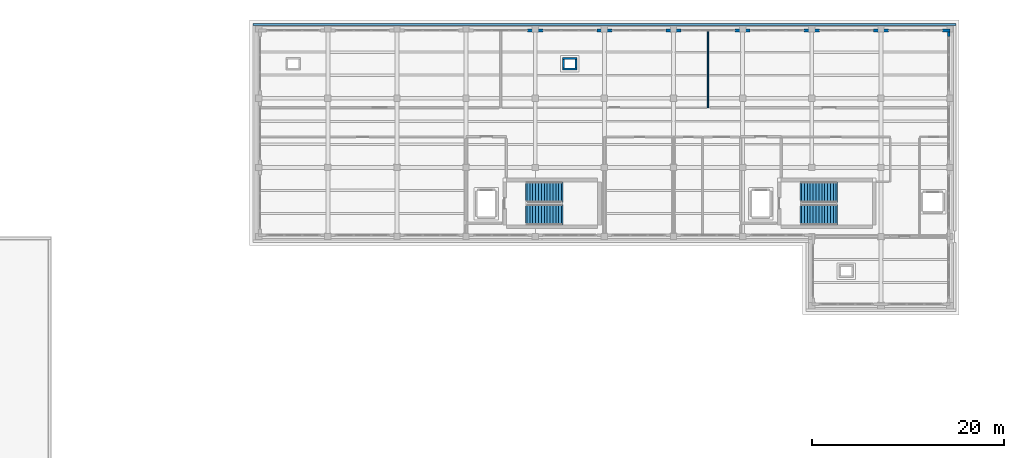
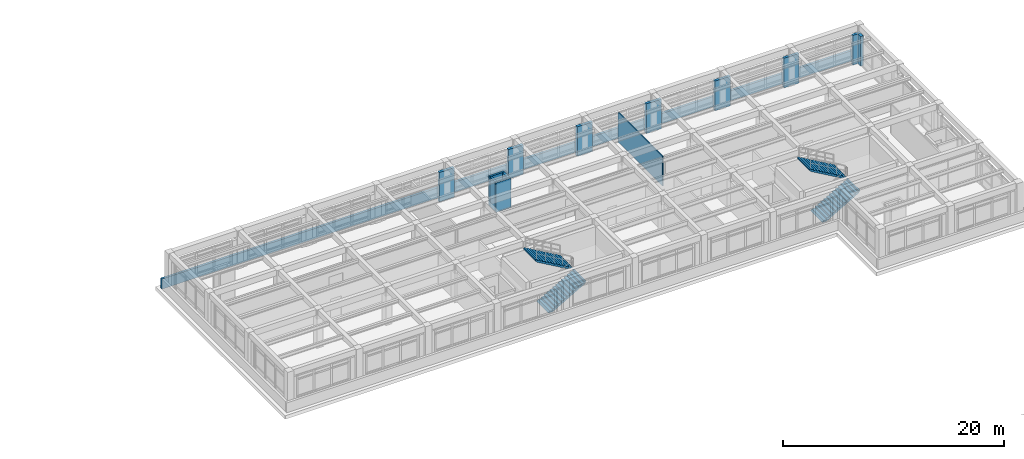
# One storey, part 49 of 55: 14 walls, 4 stair flights, 2 elements without a shape of their own.
"""IFC4 building model written with IfcOpenShell, lengths in metres."""

import ifcopenshell
import ifcopenshell.guid

model = None  # the IFC model being written
_history = None  # IfcOwnerHistory: only IFC2X3 demands one
_inside = {}  # id of a spatial element -> (the spatial element, [elements in it])
_under = {}  # id of a project, library or spatial element -> (it, [spatial elements below it])
_declared = {}  # id of a project -> (the project, [libraries it declares])
_typed = {}  # id of a type object -> (the type object, [elements of that type])
_made_of = {}  # id of a material, layer set ... -> (it, [elements and type objects made of it])


def new_model(schema):
    """Start an empty IFC model of exactly this schema.

    Asked for "IFC4X3", IfcOpenShell would pick the latest addendum, in which some entities
    have other attributes; the version numbers below select the first issue.
    IFC2X3 requires an IfcOwnerHistory on every rooted entity: one is made here for all.
    """
    global model, _history
    if schema == "IFC4X3":
        model = ifcopenshell.file(schema_version=(4, 3, 0, 0))
    else:
        model = ifcopenshell.file(schema=schema)
    _inside.clear()
    _under.clear()
    _declared.clear()
    _typed.clear()
    _made_of.clear()
    _history = None
    if model.schema == "IFC2X3":
        org = make("IfcOrganization", Name="unknown")
        user = make(
            "IfcPersonAndOrganization",
            ThePerson=make("IfcPerson", FamilyName="unknown"),
            TheOrganization=org,
        )
        app = make(
            "IfcApplication",
            ApplicationDeveloper=org,
            Version="unknown",
            ApplicationFullName="unknown",
            ApplicationIdentifier="unknown",
        )
        _history = make(
            "IfcOwnerHistory",
            OwningUser=user,
            OwningApplication=app,
            ChangeAction="ADDED",
            CreationDate=0,
        )
    return model


def make(cls, **values):
    """One entity of the class cls with the attributes given. An attribute that is None is left unset."""
    return model.create_entity(
        cls, **{name: value for name, value in values.items() if value is not None}
    )


def rooted(cls, **values):
    """An entity with a GlobalId (a new one), such as an element, a storey or a relation."""
    return make(cls, GlobalId=ifcopenshell.guid.new(), OwnerHistory=_history, **values)


def si_unit(unit_type, name, prefix=None):
    """IfcSIUnit, for example si_unit("LENGTHUNIT", "METRE", prefix="MILLI")."""
    return make("IfcSIUnit", UnitType=unit_type, Prefix=prefix, Name=name)


def assignment(units):
    """IfcUnitAssignment: the units of a project."""
    return None if units is None else make("IfcUnitAssignment", Units=units)


def point(xyz):
    """IfcCartesianPoint."""
    return None if xyz is None else make("IfcCartesianPoint", Coordinates=xyz)


def direction(xyz):
    """IfcDirection."""
    return None if xyz is None else make("IfcDirection", DirectionRatios=xyz)


def frame(location, z_axis=None, x_axis=None):
    """IfcAxis2Placement3D, a coordinate frame: its origin and axes. An axis left out is left unset."""
    return make(
        "IfcAxis2Placement3D",
        Location=point(location),
        Axis=direction(z_axis),
        RefDirection=direction(x_axis),
    )


def frame_2d(location, x_axis=None):
    """IfcAxis2Placement2D, a coordinate frame in the plane: its origin and x axis."""
    return make(
        "IfcAxis2Placement2D", Location=point(location), RefDirection=direction(x_axis)
    )


def origin():
    """The frame at (0, 0, 0) with its axes left unset."""
    return frame((0.0, 0.0, 0.0))


def place(relative_to, where):
    """IfcLocalPlacement: puts the frame where relative to a parent placement (None: the world)."""
    return make(
        "IfcLocalPlacement", PlacementRelTo=relative_to, RelativePlacement=where
    )


def context(
    kind, dimensions, precision=None, world=None, true_north=None, identifier=None
):
    """IfcGeometricRepresentationContext, for example the 3D "Model" context."""
    return make(
        "IfcGeometricRepresentationContext",
        ContextIdentifier=identifier,
        ContextType=kind,
        CoordinateSpaceDimension=dimensions,
        Precision=precision,
        WorldCoordinateSystem=world,
        TrueNorth=true_north,
    )


def subcontext(parent, identifier, kind, view, scale=None):
    """IfcGeometricRepresentationSubContext, for example "Body" below "Model"."""
    return make(
        "IfcGeometricRepresentationSubContext",
        ContextIdentifier=identifier,
        ContextType=kind,
        ParentContext=parent,
        TargetScale=scale,
        TargetView=view,
    )


def project(units=None, contexts=None):
    """IfcProject with its units and contexts."""
    return rooted(
        "IfcProject",
        Name="project",
        RepresentationContexts=contexts,
        UnitsInContext=assignment(units),
    )


def spatial(cls, under=None, at=None, **own):
    """A site, building, storey or space (cls), placed at a placement, below another one or the project."""
    s = rooted(cls, ObjectPlacement=at, **own)
    if under is not None:
        _under.setdefault(under.id(), (under, []))[1].append(s)
    return s


def polyline(points):
    """IfcPolyline through the points."""
    return make("IfcPolyline", Points=[point(p) for p in points])


def profile(cls, at=None, kind="AREA", **sizes):
    """A parametric profile (cls). Its sizes go by their IFC names, for example OverallWidth=200.0."""
    return make(cls, ProfileType=kind, Position=at, **sizes)


def rectangle(**sizes):
    """IfcRectangleProfileDef."""
    return profile("IfcRectangleProfileDef", **sizes)


def outline(outer, holes=None, kind="AREA"):
    """IfcArbitraryClosedProfileDef: a profile drawn as a closed curve; with holes, ...WithVoids."""
    if holes is None:
        return make("IfcArbitraryClosedProfileDef", ProfileType=kind, OuterCurve=outer)
    return make(
        "IfcArbitraryProfileDefWithVoids",
        ProfileType=kind,
        OuterCurve=outer,
        InnerCurves=holes,
    )


def extrude(swept, where, along, depth):
    """IfcExtrudedAreaSolid: the profile swept, set in the frame where, extruded along a direction by depth."""
    return make(
        "IfcExtrudedAreaSolid",
        SweptArea=swept,
        Position=where,
        ExtrudedDirection=direction(along),
        Depth=depth,
    )


def shape(context_of_items, identifier, shape_type, items):
    """IfcShapeRepresentation: the items that make up one representation, for example the "Body"."""
    return make(
        "IfcShapeRepresentation",
        ContextOfItems=context_of_items,
        RepresentationIdentifier=identifier,
        RepresentationType=shape_type,
        Items=items,
    )


def material(Name=None, Category=None):
    """IfcMaterial."""
    return make("IfcMaterial", Name=Name, Category=Category)


def layer(
    of_material, thickness, ventilated=None, Name=None, Category=None, Priority=None
):
    """IfcMaterialLayer: one layer of a wall or slab, of a material (None: an air gap)."""
    return make(
        "IfcMaterialLayer",
        Material=of_material,
        LayerThickness=thickness,
        IsVentilated=ventilated,
        Name=Name,
        Category=Category,
        Priority=Priority,
    )


def layer_set(layers, Name=None):
    """IfcMaterialLayerSet."""
    return make("IfcMaterialLayerSet", MaterialLayers=layers, LayerSetName=Name)


def made_of(thing, what):
    """Note that an element or type object is made of a material, layer set ...; save() writes the relation."""
    if what is not None:
        _made_of.setdefault(what.id(), (what, []))[1].append(thing)
    return thing


def type_object(cls, material=None, **own):
    """A type object (cls), such as IfcWallType, which elements share."""
    return made_of(rooted(cls, **own), material)


def element(
    cls,
    number,
    at=None,
    inside=None,
    cuts=None,
    type_object=None,
    material=None,
    context=None,
    identifier="Body",
    shape_type=None,
    held_by="IfcProductDefinitionShape",
    body=None,
    shapes=None,
    **own,
):
    """One element of the class cls, such as IfcWall. Its Tag is "e" and its number.

    at: its placement. inside: the storey or other place that contains it. cuts: it is an
    opening in that element (IfcRelVoidsElement). A single representation is given by context,
    identifier, shape_type and body (its items); several are given by shapes. held_by: the class
    of the entity that holds the representations. save() writes the other relations.
    """
    e = rooted(cls, Tag="e%d" % number, ObjectPlacement=at, **own)
    if body is not None:
        shapes = [shape(context, identifier, shape_type, body)]
    if shapes is not None:
        e.Representation = make(held_by, Representations=shapes)
    if inside is not None:
        _inside.setdefault(inside.id(), (inside, []))[1].append(e)
    if cuts is not None:
        rooted(
            "IfcRelVoidsElement", RelatingBuildingElement=cuts, RelatedOpeningElement=e
        )
    if type_object is not None:
        _typed.setdefault(type_object.id(), (type_object, []))[1].append(e)
    return made_of(e, material)


def aggregate(whole, parts):
    """IfcRelAggregates: a whole, such as a stair, and the parts it consists of."""
    return rooted("IfcRelAggregates", RelatingObject=whole, RelatedObjects=parts)


def save(model, path):
    """Write the relations noted so far, then the file.

    IfcRelAggregates (storeys below a building ...), IfcRelContainedInSpatialStructure (elements
    in a storey), IfcRelDefinesByType, IfcRelAssociatesMaterial and IfcRelDeclares: one each for
    every whole, place, type object, material and project.
    """
    for whole, parts in _under.values():
        aggregate(whole, parts)
    for where, things in _inside.values():
        rooted(
            "IfcRelContainedInSpatialStructure",
            RelatedElements=things,
            RelatingStructure=where,
        )
    for kind, things in _typed.values():
        rooted("IfcRelDefinesByType", RelatedObjects=things, RelatingType=kind)
    for what, things in _made_of.values():
        rooted("IfcRelAssociatesMaterial", RelatedObjects=things, RelatingMaterial=what)
    for by, libraries in _declared.values():
        rooted("IfcRelDeclares", RelatingContext=by, RelatedDefinitions=libraries)
    model.write(path)


model = new_model("IFC4")

# Units and contexts
model_context = context("Model", 3, precision=1e-05, world=origin(), true_north=direction((0.0, 1.0)))
body_context = subcontext(model_context, "Body", "Model", "MODEL_VIEW")
ifc_project = project(units=[si_unit("LENGTHUNIT", "METRE"), si_unit("AREAUNIT", "SQUARE_METRE"), si_unit("VOLUMEUNIT", "CUBIC_METRE"), si_unit("PLANEANGLEUNIT", "RADIAN"), si_unit("MASSUNIT", "GRAM", prefix="KILO")], contexts=[model_context])

# Site, building, storey
site_placement = place(None, origin())
site = spatial("IfcSite", under=ifc_project, at=site_placement, CompositionType="ELEMENT")
building_placement = place(site_placement, origin())
building = spatial("IfcBuilding", under=site, at=building_placement, Name="Solenvale Faculty of Natural Sciences", CompositionType="ELEMENT")
storey_placement = place(building_placement, frame((0.0, 0.0, 22.5)))
storey = spatial("IfcBuildingStorey", under=building, at=storey_placement, Name="L05", CompositionType="ELEMENT", Elevation=22.5)

# Walls
ifc_material_1 = material(Name="Precast concrete 40 MPa", Category="concrete")
ifc_layer_1 = layer(ifc_material_1, 0.284912109375)
ifc_layer_set_1 = layer_set([ifc_layer_1], Name="Precast concrete 40 MPa")
wall_type_1 = type_object("IfcWallType", Name="WL-EXT-PRC-285", PredefinedType="STANDARD", material=ifc_layer_set_1)
wall_1_placement = place(storey_placement, frame((151.0576171875, 114.412109375, 0.0), z_axis=(0.0, 0.0, 1.0), x_axis=(0.0, 1.0, 0.0)))
element("IfcWall", 1, at=wall_1_placement, inside=storey, type_object=wall_type_1, Name="L05 Facade Closure Pier 2.B3-R", PredefinedType="STANDARD", context=body_context, shape_type="SweptSolid", body=[
    extrude(rectangle(XDim=0.5029296875, YDim=0.284912109375, at=frame_2d((0.25146484375, 0.0))), origin(), (0.0, 0.0, 1.0), 3.260009765625),
])
wall_2_placement = place(storey_placement, frame((151.199951171875, 115.0576171875, 0.0), z_axis=(0.0, 0.0, 1.0), x_axis=(-1.0, 0.0, 0.0)))
element("IfcWall", 2, at=wall_2_placement, inside=storey, type_object=wall_type_1, Name="L05 Facade Closure Pier 3.B1-L", PredefinedType="STANDARD", context=body_context, shape_type="SweptSolid", body=[
    extrude(rectangle(XDim=0.787841796875, YDim=0.284912109375, at=frame_2d((0.39404296875, 0.0))), origin(), (0.0, 0.0, 1.0), 3.260009765625),
])
wall_3_placement = place(storey_placement, frame((144.7880859375, 115.0576171875, 0.0), z_axis=(0.0, 0.0, 1.0), x_axis=(-1.0, 0.0, 0.0)))
element("IfcWall", 3, at=wall_3_placement, inside=storey, type_object=wall_type_1, Name="L05 Facade Closure Pier 3.B1-R", PredefinedType="STANDARD", context=body_context, shape_type="SweptSolid", body=[
    extrude(rectangle(XDim=1.576171875, YDim=0.284912109375, at=frame_2d((0.7880859375, 0.0))), origin(), (0.0, 0.0, 1.0), 3.260009765625),
])
for number, where, z_axis, x_axis, name in (
    (4, (137.587890625, 115.0576171875, 0.0), (0.0, 0.0, 1.0), (-1.0, 0.0, 0.0), "L05 Facade Closure Pier 3.B2-R"),
    (5, (130.387939453125, 115.0576171875, 0.0), (0.0, 0.0, 1.0), (-1.0, 0.0, 0.0), "L05 Facade Closure Pier 3.B3-R"),
    (6, (123.18798828125, 115.0576171875, 0.0), (0.0, 0.0, 1.0), (-1.0, 0.0, 0.0), "L05 Facade Closure Pier 3.B4-R"),
    (7, (115.988037109375, 115.0576171875, 0.0), (0.0, 0.0, 1.0), (-1.0, 0.0, 0.0), "L05 Facade Closure Pier 3.B5-R"),
):
    element("IfcWall", number, at=place(storey_placement, frame(where, z_axis=z_axis, x_axis=x_axis)), inside=storey, type_object=wall_type_1, Name=name, PredefinedType="STANDARD", context=body_context, shape_type="SweptSolid", body=[
        extrude(rectangle(XDim=1.575927734375, YDim=0.284912109375, at=frame_2d((0.7880859375, 0.0))), origin(), (0.0, 0.0, 1.0), 3.260009765625),
    ])
wall_4_placement = place(storey_placement, frame((108.7880859375, 115.0576171875, 0.0), z_axis=(0.0, 0.0, 1.0), x_axis=(-1.0, 0.0, 0.0)))
element("IfcWall", 8, at=wall_4_placement, inside=storey, type_object=wall_type_1, Name="L05 Facade Closure Pier 3.B6-R", PredefinedType="STANDARD", context=body_context, shape_type="SweptSolid", body=[
    extrude(rectangle(XDim=1.576171875, YDim=0.284912109375, at=frame_2d((0.7880859375, 0.0))), origin(), (0.0, 0.0, 1.0), 3.260009765625),
])
ifc_material_2 = material(Name="Acoustic stud gypsum partition")
ifc_layer_2 = layer(ifc_material_2, 0.132080078125)
ifc_layer_set_2 = layer_set([ifc_layer_2], Name="Acoustic stud gypsum partition")
wall_type_2 = type_object("IfcWallType", Name="WL-OFF-132", PredefinedType="PARTITIONING", material=ifc_layer_set_2)
wall_5_placement = place(storey_placement, frame((126.0, 115.01708984375, 0.0), z_axis=(0.0, 0.0, 1.0), x_axis=(0.0, -1.0, 0.0)))
element("IfcWall", 9, at=wall_5_placement, inside=storey, type_object=wall_type_2, Name="L05 Faculty Staff Office Partition 3", PredefinedType="PARTITIONING", context=body_context, shape_type="SweptSolid", body=[
    extrude(rectangle(XDim=7.9970703125, YDim=0.132080078125, at=frame_2d((3.99853515625, 0.0))), origin(), (0.0, 0.0, 1.0), 3.260009765625),
])
ifc_material_3 = material(Name="Architectural bronze concrete 40 MPa", Category="concrete")
ifc_layer_3 = layer(ifc_material_3, 0.239990234375)
ifc_layer_set_3 = layer_set([ifc_layer_3], Name="Architectural bronze concrete 40 MPa")
wall_type_3 = type_object("IfcWallType", Name="WL-PAR-BRZ-240", PredefinedType="PARAPET", material=ifc_layer_set_3)
wall_6_placement = place(storey_placement, frame((78.60009765625, 115.679931640625, 0.0), z_axis=(0.0, 0.0, 1.0), x_axis=(1.0, 0.0, 0.0)))
element("IfcWall", 10, at=wall_6_placement, inside=storey, type_object=wall_type_3, Name="L05 Tower Horizontal Concrete Band 4", PredefinedType="PARAPET", context=body_context, shape_type="SweptSolid", body=[
    extrude(rectangle(XDim=73.199951171875, YDim=0.239990234375, at=frame_2d((36.60009765625, 0.0))), origin(), (0.0, 0.0, 1.0), 1.1201171875),
])
ifc_material_4 = material(Name="Concrete 40 MPa", Category="concrete")
ifc_layer_4 = layer(ifc_material_4, 0.219970703125)
ifc_layer_set_4 = layer_set([ifc_layer_4], Name="Concrete 40 MPa")
wall_type_4 = type_object("IfcWallType", Name="WL-SHF-220", PredefinedType="STANDARD", material=ifc_layer_set_4)
for number, where, z_axis, x_axis, name in (
    (11, (110.830078125, 111.0400390625, 0.0), (0.0, 0.0, 1.0), (1.0, 0.0, 0.0), "L05 Service Riser Shaft 4 Wall S"),
    (12, (110.830078125, 112.159912109375, 0.0), (0.0, 0.0, 1.0), (1.0, 0.0, 0.0), "L05 Service Riser Shaft 4 Wall N"),
):
    element("IfcWall", number, at=place(storey_placement, frame(where, z_axis=z_axis, x_axis=x_axis)), inside=storey, type_object=wall_type_4, Name=name, PredefinedType="STANDARD", context=body_context, shape_type="SweptSolid", body=[
        extrude(rectangle(XDim=1.5400390625, YDim=0.219970703125, at=frame_2d((0.77001953125, 0.0))), origin(), (0.0, 0.0, 1.0), 3.260009765625),
    ])
for number, where, z_axis, x_axis, name in (
    (13, (110.93994140625, 111.14990234375, 0.0), (0.0, 0.0, 1.0), (0.0, 1.0, 0.0), "L05 Service Riser Shaft 4 Wall W"),
    (14, (112.260009765625, 111.14990234375, 0.0), (0.0, 0.0, 1.0), (0.0, 1.0, 0.0), "L05 Service Riser Shaft 4 Wall E"),
):
    element("IfcWall", number, at=place(storey_placement, frame(where, z_axis=z_axis, x_axis=x_axis)), inside=storey, type_object=wall_type_4, Name=name, PredefinedType="STANDARD", context=body_context, shape_type="SweptSolid", body=[
        extrude(rectangle(XDim=0.900146484375, YDim=0.219970703125, at=frame_2d((0.4501953125, 0.0))), origin(), (0.0, 0.0, 1.0), 3.260009765625),
    ])

# Stair, stair flights
stair_type = type_object("IfcStairType", Name="STR-CORE-25R", PredefinedType="DOUBLE_RETURN_STAIR", material=ifc_material_4)
stair_1_placement = place(storey_placement, origin())
stair_1 = element("IfcStair", 15, at=stair_1_placement, inside=storey, type_object=stair_type, Name="L05 Protected Exit Stair ST-04", PredefinedType="DOUBLE_RETURN_STAIR")
stair_flight_type = type_object("IfcStairFlightType", Name="SFL-RC-25R", PredefinedType="STRAIGHT", material=ifc_material_4)
stair_flight_1_placement = place(storey_placement, frame((107.139892578125, 95.875, 0.0), z_axis=(0.0, 0.0, 1.0), x_axis=(1.0, 0.0, 0.0)))
stair_flight_1 = element("IfcStairFlight", 16, at=stair_flight_1_placement, type_object=stair_flight_type, Name="ST-04 flight 1", NumberOfRisers=13, NumberOfTreads=12, PredefinedType="STRAIGHT", RiserHeight=0.173076923, TreadLength=0.3, context=body_context, shape_type="SweptSolid", body=[
    extrude(outline(polyline([(-0.159912109375, 0.0), (0.0, 0.173095703125), (0.300048828125, 0.173095703125), (0.300048828125, 0.34619140625), (0.60009765625, 0.34619140625), (0.60009765625, 0.519287109375), (0.89990234375, 0.519287109375), (0.89990234375, 0.6923828125), (1.199951171875, 0.6923828125), (1.199951171875, 0.865478515625), (1.5, 0.865478515625), (1.5, 1.03857421875), (1.800048828125, 1.03857421875), (1.800048828125, 1.21142578125), (2.10009765625, 1.21142578125), (2.10009765625, 1.384521484375), (2.39990234375, 1.384521484375), (2.39990234375, 1.5576171875), (2.699951171875, 1.5576171875), (2.699951171875, 1.730712890625), (3.0, 1.730712890625), (3.0, 1.90380859375), (3.300048828125, 1.90380859375), (3.300048828125, 2.076904296875), (3.60009765625, 2.076904296875), (3.60009765625, 2.25), (3.760009765625, 2.25), (3.760009765625, 2.10009765625), (3.60009765625, 1.90380859375), (0.300048828125, 0.0), (-0.159912109375, 0.0)])), frame((0.0, 1.074951171875, 0.0), z_axis=(0.0, -1.0, 0.0), x_axis=(1.0, 0.0, 0.0)), (0.0, 0.0, 1.0), 2.14990234375),
])
stair_flight_2_placement = place(storey_placement, frame((110.739990234375, 98.22509765625, 2.25), z_axis=(0.0, 0.0, 1.0), x_axis=(-1.0, 0.0, 0.0)))
stair_flight_2 = element("IfcStairFlight", 17, at=stair_flight_2_placement, type_object=stair_flight_type, Name="ST-04 flight 2", NumberOfRisers=13, NumberOfTreads=12, PredefinedType="STRAIGHT", RiserHeight=0.173076923, TreadLength=0.3, context=body_context, shape_type="SweptSolid", body=[
    extrude(outline(polyline([(-0.159912109375, 0.0), (0.0, 0.173095703125), (0.300048828125, 0.173095703125), (0.300048828125, 0.34619140625), (0.60009765625, 0.34619140625), (0.60009765625, 0.519287109375), (0.89990234375, 0.519287109375), (0.89990234375, 0.6923828125), (1.199951171875, 0.6923828125), (1.199951171875, 0.865478515625), (1.5, 0.865478515625), (1.5, 1.03857421875), (1.800048828125, 1.03857421875), (1.800048828125, 1.21142578125), (2.10009765625, 1.21142578125), (2.10009765625, 1.384521484375), (2.39990234375, 1.384521484375), (2.39990234375, 1.5576171875), (2.699951171875, 1.5576171875), (2.699951171875, 1.730712890625), (3.0, 1.730712890625), (3.0, 1.90380859375), (3.300048828125, 1.90380859375), (3.300048828125, 2.076904296875), (3.60009765625, 2.076904296875), (3.60009765625, 2.25), (3.760009765625, 2.25), (3.760009765625, 2.10009765625), (3.60009765625, 1.90380859375), (0.300048828125, 0.0), (-0.159912109375, 0.0)])), frame((0.0, 1.074951171875, 0.0), z_axis=(0.0, -1.0, 0.0), x_axis=(1.0, 0.0, 0.0)), (0.0, 0.0, 1.0), 2.14990234375),
])
aggregate(stair_1, [stair_flight_1, stair_flight_2])

stair_2_placement = place(storey_placement, origin())
stair_2 = element("IfcStair", 18, at=stair_2_placement, inside=storey, type_object=stair_type, Name="L05 Protected Exit Stair ST-05", PredefinedType="DOUBLE_RETURN_STAIR")
stair_flight_3_placement = place(storey_placement, frame((135.739990234375, 95.875, 0.0), z_axis=(0.0, 0.0, 1.0), x_axis=(1.0, 0.0, 0.0)))
stair_flight_3 = element("IfcStairFlight", 19, at=stair_flight_3_placement, type_object=stair_flight_type, Name="ST-05 flight 1", NumberOfRisers=13, NumberOfTreads=12, PredefinedType="STRAIGHT", RiserHeight=0.173076923, TreadLength=0.3, context=body_context, shape_type="SweptSolid", body=[
    extrude(outline(polyline([(-0.159912109375, 0.0), (0.0, 0.173095703125), (0.300048828125, 0.173095703125), (0.300048828125, 0.34619140625), (0.60009765625, 0.34619140625), (0.60009765625, 0.519287109375), (0.89990234375, 0.519287109375), (0.89990234375, 0.6923828125), (1.199951171875, 0.6923828125), (1.199951171875, 0.865478515625), (1.5, 0.865478515625), (1.5, 1.03857421875), (1.800048828125, 1.03857421875), (1.800048828125, 1.21142578125), (2.10009765625, 1.21142578125), (2.10009765625, 1.384521484375), (2.39990234375, 1.384521484375), (2.39990234375, 1.5576171875), (2.699951171875, 1.5576171875), (2.699951171875, 1.730712890625), (3.0, 1.730712890625), (3.0, 1.90380859375), (3.300048828125, 1.90380859375), (3.300048828125, 2.076904296875), (3.60009765625, 2.076904296875), (3.60009765625, 2.25), (3.760009765625, 2.25), (3.760009765625, 2.10009765625), (3.60009765625, 1.90380859375), (0.300048828125, 0.0), (-0.159912109375, 0.0)])), frame((0.0, 1.074951171875, 0.0), z_axis=(0.0, -1.0, 0.0), x_axis=(1.0, 0.0, 0.0)), (0.0, 0.0, 1.0), 2.14990234375),
])
stair_flight_4_placement = place(storey_placement, frame((139.340087890625, 98.22509765625, 2.25), z_axis=(0.0, 0.0, 1.0), x_axis=(-1.0, 0.0, 0.0)))
stair_flight_4 = element("IfcStairFlight", 20, at=stair_flight_4_placement, type_object=stair_flight_type, Name="ST-05 flight 2", NumberOfRisers=13, NumberOfTreads=12, PredefinedType="STRAIGHT", RiserHeight=0.173076923, TreadLength=0.3, context=body_context, shape_type="SweptSolid", body=[
    extrude(outline(polyline([(-0.159912109375, 0.0), (0.0, 0.173095703125), (0.300048828125, 0.173095703125), (0.300048828125, 0.34619140625), (0.60009765625, 0.34619140625), (0.60009765625, 0.519287109375), (0.89990234375, 0.519287109375), (0.89990234375, 0.6923828125), (1.199951171875, 0.6923828125), (1.199951171875, 0.865478515625), (1.5, 0.865478515625), (1.5, 1.03857421875), (1.800048828125, 1.03857421875), (1.800048828125, 1.21142578125), (2.10009765625, 1.21142578125), (2.10009765625, 1.384521484375), (2.39990234375, 1.384521484375), (2.39990234375, 1.5576171875), (2.699951171875, 1.5576171875), (2.699951171875, 1.730712890625), (3.0, 1.730712890625), (3.0, 1.90380859375), (3.300048828125, 1.90380859375), (3.300048828125, 2.076904296875), (3.60009765625, 2.076904296875), (3.60009765625, 2.25), (3.760009765625, 2.25), (3.760009765625, 2.10009765625), (3.60009765625, 1.90380859375), (0.300048828125, 0.0), (-0.159912109375, 0.0)])), frame((0.0, 1.074951171875, 0.0), z_axis=(0.0, -1.0, 0.0), x_axis=(1.0, 0.0, 0.0)), (0.0, 0.0, 1.0), 2.14990234375),
])
aggregate(stair_2, [stair_flight_3, stair_flight_4])

save(model, "model.ifc")
